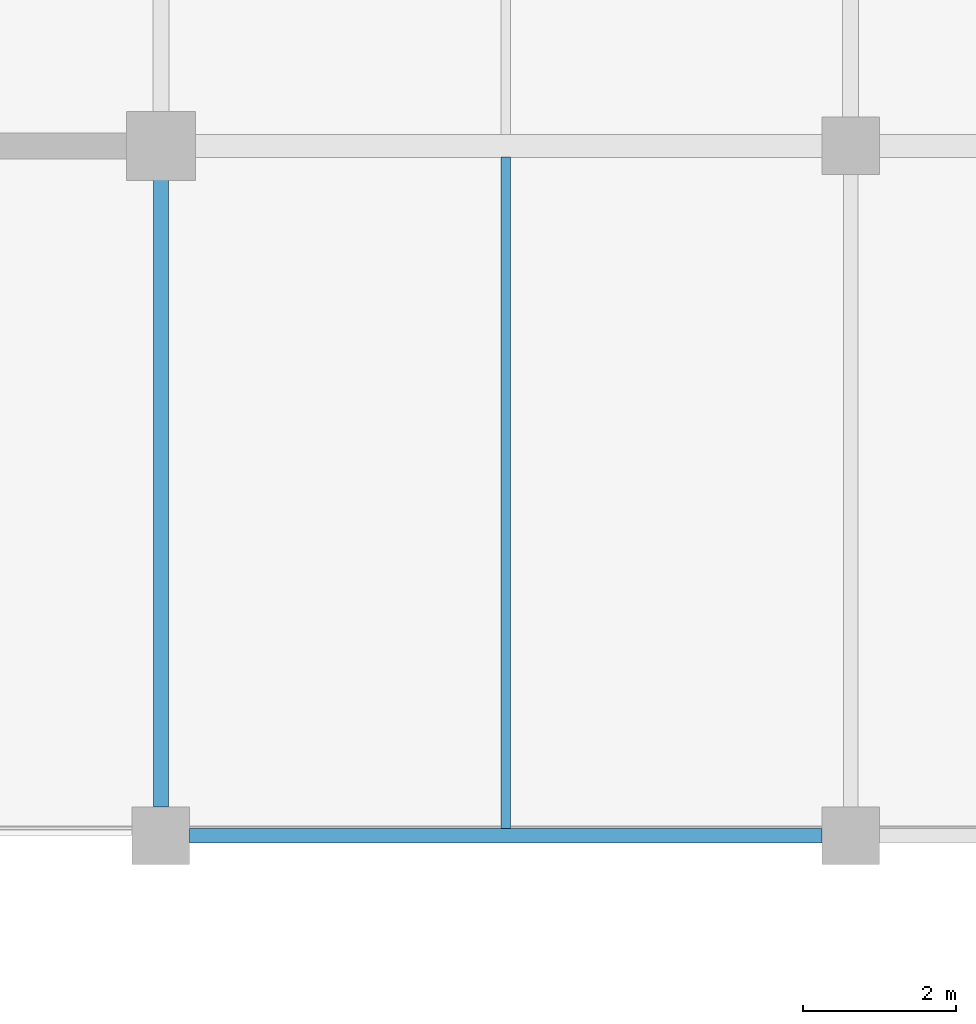
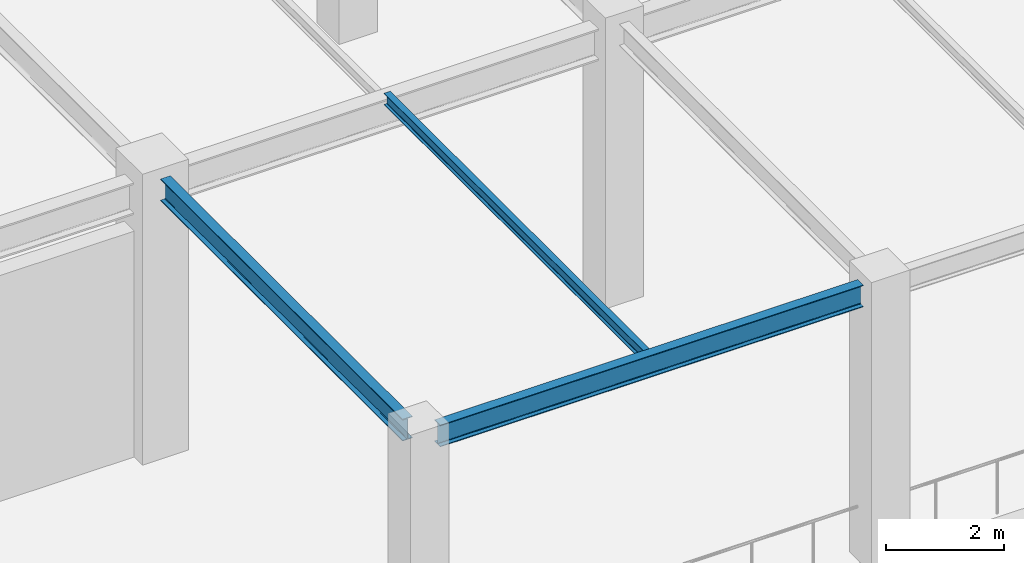
# One storey, part 7 of 223: 3 beams.
"""IFC4 building model written with IfcOpenShell, lengths in metres."""

from ifc_helpers import new_model, si_unit, direction, frame, origin, origin_2d, place, context, subcontext, project, spatial, i_section, extrude, material, material_profile, profile_set, type_object, element, save


model = new_model("IFC4")

# Units and contexts
model_context = context("Model", 3, precision=1e-05, world=origin(), true_north=direction((0.0, 1.0)))
body_context = subcontext(model_context, "Body", "Model", "MODEL_VIEW")
ifc_project = project(units=[si_unit("LENGTHUNIT", "METRE"), si_unit("AREAUNIT", "SQUARE_METRE"), si_unit("VOLUMEUNIT", "CUBIC_METRE"), si_unit("PLANEANGLEUNIT", "RADIAN"), si_unit("MASSUNIT", "GRAM", prefix="KILO")], contexts=[model_context])

# Site, building, storey
site_placement = place(None, origin())
site = spatial("IfcSite", under=ifc_project, at=site_placement, CompositionType="ELEMENT")
building_placement = place(site_placement, origin())
building = spatial("IfcBuilding", under=site, at=building_placement, Name="Dornveld Trade and Exhibition Forum", CompositionType="ELEMENT")
storey_placement = place(building_placement, frame((0.0, 0.0, 6.0)))
storey = spatial("IfcBuildingStorey", under=building, at=storey_placement, Name="L01", CompositionType="ELEMENT", Elevation=6.0)

# Beams
ifc_material_1 = material(Name="Steel S355J2", Category="steel")
ifc_material_profile_1 = material_profile(ifc_material_1, i_section(OverallWidth=0.1201171875, OverallDepth=0.239990234375, WebThickness=0.006103515625, FlangeThickness=0.009765625, FilletRadius=0.014892578125, at=origin_2d()), Name="IPE 240")
ifc_profile_set_1 = profile_set([ifc_material_profile_1], Name="Steel S355J2")
beam_type_1 = type_object("IfcBeamType", Name="BM-JOIST-240", PredefinedType="JOIST", material=ifc_profile_set_1)
beam_1_placement = place(storey_placement, frame((94.5, 27.092041015625, 5.659912109375), z_axis=(0.0, 1.0, 0.0), x_axis=(-1.0, 0.0, 0.0)))
element("IfcBeam", 1, at=beam_1_placement, inside=storey, type_object=beam_type_1, Name="L01 secondary joist 1729", PredefinedType="JOIST", context=body_context, shape_type="SweptSolid", body=[
    extrude(i_section(OverallWidth=0.1201171875, OverallDepth=0.239990234375, WebThickness=0.006103515625, FlangeThickness=0.009765625, FilletRadius=0.014892578125, at=origin_2d()), origin(), (0.0, 0.0, 1.0), 8.760986328125),
])
ifc_material_2 = material(Name="Steel S355J2", Category="steel")
ifc_material_profile_2 = material_profile(ifc_material_2, i_section(OverallWidth=0.18994140625, OverallDepth=0.449951171875, WebThickness=0.009521484375, FlangeThickness=0.0146484375, FilletRadius=0.02099609375, at=origin_2d()), Name="IPE 450")
ifc_profile_set_2 = profile_set([ifc_material_profile_2], Name="Steel S355J2")
beam_type_2 = type_object("IfcBeamType", Name="BM-SEC-450", PredefinedType="BEAM", material=ifc_profile_set_2)
beam_2_placement = place(storey_placement, frame((90.37109375, 27.0, 5.554931640625), z_axis=(1.0, 0.0, 0.0), x_axis=(0.0, 1.0, 0.0)))
element("IfcBeam", 2, at=beam_2_placement, inside=storey, type_object=beam_type_2, Name="L01 X-girder 1707", PredefinedType="BEAM", context=body_context, shape_type="SweptSolid", body=[
    extrude(i_section(OverallWidth=0.18994140625, OverallDepth=0.449951171875, WebThickness=0.009521484375, FlangeThickness=0.0146484375, FilletRadius=0.02099609375, at=origin_2d()), origin(), (0.0, 0.0, 1.0), 8.2578125),
])
beam_3_placement = place(storey_placement, frame((90.0, 27.37109375, 5.554931640625), z_axis=(0.0, 1.0, 0.0), x_axis=(-1.0, 0.0, 0.0)))
element("IfcBeam", 3, at=beam_3_placement, inside=storey, type_object=beam_type_2, Name="L01 Y-girder 1721", PredefinedType="BEAM", context=body_context, shape_type="SweptSolid", body=[
    extrude(i_section(OverallWidth=0.18994140625, OverallDepth=0.449951171875, WebThickness=0.009521484375, FlangeThickness=0.0146484375, FilletRadius=0.02099609375, at=origin_2d()), origin(), (0.0, 0.0, 1.0), 8.182861328125),
])

save(model, "model.ifc")
